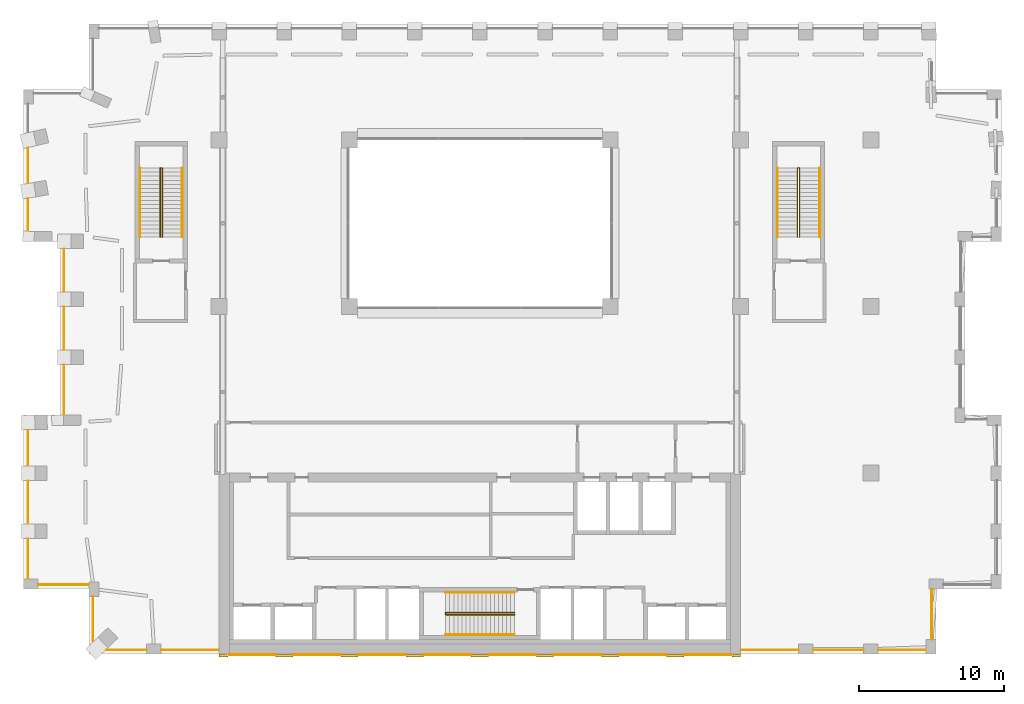
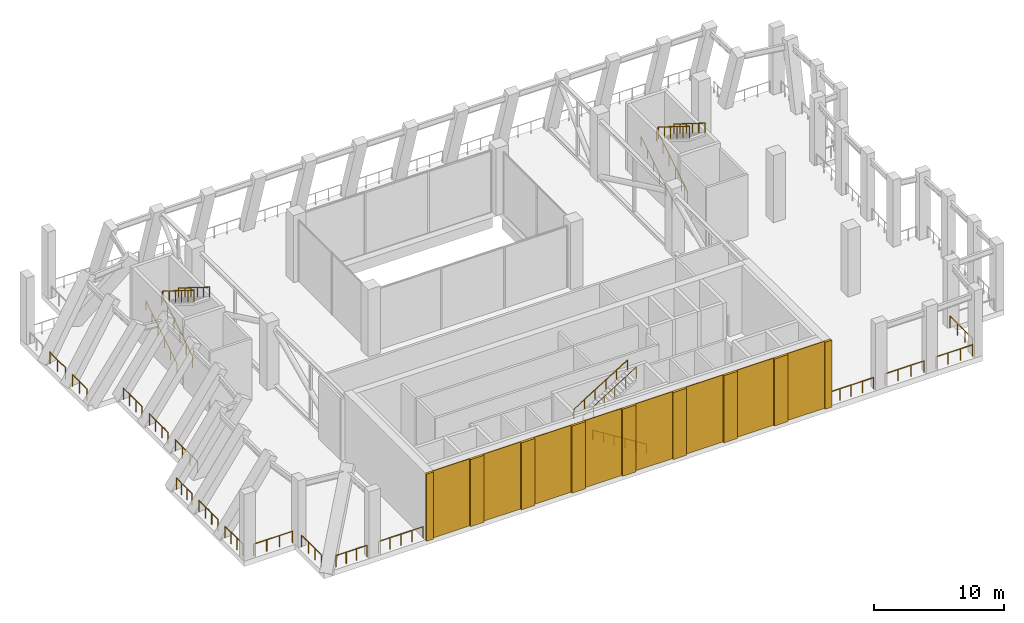
# One storey, part 13 of 14: 25 railings, 17 coverings.
"""IFC4 building model written with IfcOpenShell, lengths in metres."""

from ifc_helpers import new_model, si_unit, direction, frame, origin, origin_2d, place, context, subcontext, project, spatial, rectangle, circle, extrude, material, layer, layer_set, type_object, element, save


model = new_model("IFC4")

# Units and contexts
model_context = context("Model", 3, precision=1e-05, world=origin(), true_north=direction((0.0, 1.0)))
body_context = subcontext(model_context, "Body", "Model", "MODEL_VIEW")
ifc_project = project(units=[si_unit("LENGTHUNIT", "METRE"), si_unit("AREAUNIT", "SQUARE_METRE"), si_unit("VOLUMEUNIT", "CUBIC_METRE"), si_unit("PLANEANGLEUNIT", "RADIAN"), si_unit("MASSUNIT", "GRAM", prefix="KILO")], contexts=[model_context])

# Site, building, storey
site_placement = place(None, origin())
site = spatial("IfcSite", under=ifc_project, at=site_placement, CompositionType="ELEMENT")
building_placement = place(site_placement, origin())
building = spatial("IfcBuilding", under=site, at=building_placement, Name="Brigalow Station Residences", CompositionType="ELEMENT")
storey_placement = place(building_placement, frame((0.0, 0.0, 185.39990234375)))
storey = spatial("IfcBuildingStorey", under=building, at=storey_placement, Name="L54", CompositionType="ELEMENT", Elevation=185.39990234375)

# Railings
ifc_material_1 = material(Name="Stainless steel balustrade with laminated glass infill", Category="steel")
railing_type_1 = type_object("IfcRailingType", Name="BALCONY GUARD 1100", PredefinedType="GUARDRAIL", material=ifc_material_1)
railing_1_placement = place(storey_placement, frame((10.221923828125, 0.300048828125, 0.0)))
element("IfcRailing", 1, at=railing_1_placement, inside=storey, type_object=railing_type_1, Name="L54/edge-guard/W-L54-1-1", PredefinedType="GUARDRAIL", context=body_context, shape_type="SweptSolid", body=[
    extrude(circle(Radius=0.02392578125, at=origin_2d()), frame((0.0, 0.0, 1.076171875), z_axis=(1.0, 0.0, 0.0), x_axis=(0.0, 1.0, 0.0)), (0.0, 0.0, 1.0), 2.755126953125),
    extrude(circle(Radius=0.02099609375, at=origin_2d()), origin(), (0.0, 0.0, 1.0), 1.052001953125),
    extrude(circle(Radius=0.02099609375, at=origin_2d()), frame((0.91845703125, 0.0, 0.0)), (0.0, 0.0, 1.0), 1.052001953125),
    extrude(circle(Radius=0.02099609375, at=origin_2d()), frame((1.836669921875, 0.0, 0.0)), (0.0, 0.0, 1.0), 1.052001953125),
    extrude(circle(Radius=0.02099609375, at=origin_2d()), frame((2.755126953125, 0.0, 0.0)), (0.0, 0.0, 1.0), 1.052001953125),
])
for number, where, name in (
    (2, (14.02294921875, 0.300048828125, 0.0), "L54/edge-guard/W-L54-1-2"),
    (3, (54.02294921875, 0.300048828125, 0.0), "L54/edge-guard/W-L54-4-3"),
):
    element("IfcRailing", number, at=place(storey_placement, frame(where)), inside=storey, type_object=railing_type_1, Name=name, PredefinedType="GUARDRAIL", context=body_context, shape_type="SweptSolid", body=[
        extrude(circle(Radius=0.02392578125, at=origin_2d()), frame((0.0, 0.0, 1.076171875), z_axis=(1.0, 0.0, 0.0), x_axis=(0.0, 1.0, 0.0)), (0.0, 0.0, 1.0), 3.9541015625),
        extrude(circle(Radius=0.02099609375, at=origin_2d()), origin(), (0.0, 0.0, 1.0), 1.052001953125),
        extrude(circle(Radius=0.02099609375, at=origin_2d()), frame((0.988525390625, 0.0, 0.0)), (0.0, 0.0, 1.0), 1.052001953125),
        extrude(circle(Radius=0.02099609375, at=origin_2d()), frame((1.97705078125, 0.0, 0.0)), (0.0, 0.0, 1.0), 1.052001953125),
        extrude(circle(Radius=0.02099609375, at=origin_2d()), frame((2.965576171875, 0.0, 0.0)), (0.0, 0.0, 1.0), 1.052001953125),
        extrude(circle(Radius=0.02099609375, at=origin_2d()), frame((3.9541015625, 0.0, 0.0)), (0.0, 0.0, 1.0), 1.052001953125),
    ])
railing_2_placement = place(storey_placement, frame((59.02294921875, 0.300048828125, 0.0)))
element("IfcRailing", 4, at=railing_2_placement, inside=storey, type_object=railing_type_1, Name="L54/edge-guard/W-L54-4-4", PredefinedType="GUARDRAIL", context=body_context, shape_type="SweptSolid", body=[
    extrude(circle(Radius=0.02392578125, at=origin_2d()), frame((0.0, 0.0, 1.076171875), z_axis=(1.0, 0.0, 0.0), x_axis=(0.0, 1.0, 0.0)), (0.0, 0.0, 1.0), 3.4541015625),
    extrude(circle(Radius=0.02099609375, at=origin_2d()), origin(), (0.0, 0.0, 1.0), 1.052001953125),
    extrude(circle(Radius=0.02099609375, at=origin_2d()), frame((1.1513671875, 0.0, 0.0)), (0.0, 0.0, 1.0), 1.052001953125),
    extrude(circle(Radius=0.02099609375, at=origin_2d()), frame((2.302734375, 0.0, 0.0)), (0.0, 0.0, 1.0), 1.052001953125),
    extrude(circle(Radius=0.02099609375, at=origin_2d()), frame((3.4541015625, 0.0, 0.0)), (0.0, 0.0, 1.0), 1.052001953125),
])
railing_3_placement = place(storey_placement, frame((63.52294921875, 0.300048828125, 0.0)))
element("IfcRailing", 5, at=railing_3_placement, inside=storey, type_object=railing_type_1, Name="L54/edge-guard/W-L54-4-5", PredefinedType="GUARDRAIL", context=body_context, shape_type="SweptSolid", body=[
    extrude(circle(Radius=0.02392578125, at=origin_2d()), frame((0.0, 0.0, 1.076171875), z_axis=(1.0, 0.0, 0.0), x_axis=(0.0, 1.0, 0.0)), (0.0, 0.0, 1.0), 3.254150390625),
    extrude(circle(Radius=0.02099609375, at=origin_2d()), origin(), (0.0, 0.0, 1.0), 1.052001953125),
    extrude(circle(Radius=0.02099609375, at=origin_2d()), frame((1.084716796875, 0.0, 0.0)), (0.0, 0.0, 1.0), 1.052001953125),
    extrude(circle(Radius=0.02099609375, at=origin_2d()), frame((2.16943359375, 0.0, 0.0)), (0.0, 0.0, 1.0), 1.052001953125),
    extrude(circle(Radius=0.02099609375, at=origin_2d()), frame((3.254150390625, 0.0, 0.0)), (0.0, 0.0, 1.0), 1.052001953125),
])
railing_4_placement = place(storey_placement, frame((67.199951171875, 1.02294921875, 0.0)))
element("IfcRailing", 6, at=railing_4_placement, inside=storey, type_object=railing_type_1, Name="L54/edge-guard/W-L54-7-6", PredefinedType="GUARDRAIL", context=body_context, shape_type="SweptSolid", body=[
    extrude(circle(Radius=0.02392578125, at=origin_2d()), frame((0.0, 0.0, 1.076171875), z_axis=(0.0, 1.0, 0.0), x_axis=(-1.0, 0.0, 0.0)), (0.0, 0.0, 1.0), 3.4541015625),
    extrude(circle(Radius=0.02099609375, at=origin_2d()), origin(), (0.0, 0.0, 1.0), 1.052001953125),
    extrude(circle(Radius=0.02099609375, at=origin_2d()), frame((0.0, 1.1513671875, 0.0)), (0.0, 0.0, 1.0), 1.052001953125),
    extrude(circle(Radius=0.02099609375, at=origin_2d()), frame((0.0, 2.302734375, 0.0)), (0.0, 0.0, 1.0), 1.052001953125),
    extrude(circle(Radius=0.02099609375, at=origin_2d()), frame((0.0, 3.4541015625, 0.0)), (0.0, 0.0, 1.0), 1.052001953125),
])
railing_5_placement = place(storey_placement, frame((4.800048828125, 34.93115234375, 0.0)))
element("IfcRailing", 7, at=railing_5_placement, inside=storey, type_object=railing_type_1, Name="L54/edge-guard/W-L54-37-37", PredefinedType="GUARDRAIL", context=body_context, shape_type="SweptSolid", body=[
    extrude(circle(Radius=0.02392578125, at=origin_2d()), frame((0.0, 0.0, 1.076171875), z_axis=(0.0, -1.0, 0.0), x_axis=(1.0, 0.0, 0.0)), (0.0, 0.0, 1.0), 2.38916015625),
    extrude(circle(Radius=0.02099609375, at=origin_2d()), origin(), (0.0, 0.0, 1.0), 1.052001953125),
    extrude(circle(Radius=0.02099609375, at=origin_2d()), frame((0.0, -1.194580078125, 0.0)), (0.0, 0.0, 1.0), 1.052001953125),
    extrude(circle(Radius=0.02099609375, at=origin_2d()), frame((0.0, -2.38916015625, 0.0)), (0.0, 0.0, 1.0), 1.052001953125),
])
railing_6_placement = place(storey_placement, frame((4.800048828125, 31.44140625, 0.0)))
element("IfcRailing", 8, at=railing_6_placement, inside=storey, type_object=railing_type_1, Name="L54/edge-guard/W-L54-37-38", PredefinedType="GUARDRAIL", context=body_context, shape_type="SweptSolid", body=[
    extrude(circle(Radius=0.02392578125, at=origin_2d()), frame((0.0, 0.0, 1.076171875), z_axis=(0.0, -1.0, 0.0), x_axis=(1.0, 0.0, 0.0)), (0.0, 0.0, 1.0), 2.197265625),
    extrude(circle(Radius=0.02099609375, at=origin_2d()), origin(), (0.0, 0.0, 1.0), 1.052001953125),
    extrude(circle(Radius=0.02099609375, at=origin_2d()), frame((0.0, -1.0986328125, 0.0)), (0.0, 0.0, 1.0), 1.052001953125),
    extrude(circle(Radius=0.02099609375, at=origin_2d()), frame((0.0, -2.197265625, 0.0)), (0.0, 0.0, 1.0), 1.052001953125),
])
for number, where, name in (
    (9, (7.300048828125, 27.95703125, 0.0), "L54/edge-guard/W-L54-41-39"),
    (10, (7.300048828125, 23.95703125, 0.0), "L54/edge-guard/W-L54-41-40"),
):
    element("IfcRailing", number, at=place(storey_placement, frame(where)), inside=storey, type_object=railing_type_1, Name=name, PredefinedType="GUARDRAIL", context=body_context, shape_type="SweptSolid", body=[
        extrude(circle(Radius=0.02392578125, at=origin_2d()), frame((0.0, 0.0, 1.076171875), z_axis=(0.0, -1.0, 0.0), x_axis=(1.0, 0.0, 0.0)), (0.0, 0.0, 1.0), 2.9140625),
        extrude(circle(Radius=0.02099609375, at=origin_2d()), origin(), (0.0, 0.0, 1.0), 1.052001953125),
        extrude(circle(Radius=0.02099609375, at=origin_2d()), frame((0.0, -0.971435546875, 0.0)), (0.0, 0.0, 1.0), 1.052001953125),
        extrude(circle(Radius=0.02099609375, at=origin_2d()), frame((0.0, -1.942626953125, 0.0)), (0.0, 0.0, 1.0), 1.052001953125),
        extrude(circle(Radius=0.02099609375, at=origin_2d()), frame((0.0, -2.9140625, 0.0)), (0.0, 0.0, 1.0), 1.052001953125),
    ])
railing_7_placement = place(storey_placement, frame((7.300048828125, 19.95703125, 0.0)))
element("IfcRailing", 11, at=railing_7_placement, inside=storey, type_object=railing_type_1, Name="L54/edge-guard/W-L54-41-41", PredefinedType="GUARDRAIL", context=body_context, shape_type="SweptSolid", body=[
    extrude(circle(Radius=0.02392578125, at=origin_2d()), frame((0.0, 0.0, 1.076171875), z_axis=(0.0, -1.0, 0.0), x_axis=(1.0, 0.0, 0.0)), (0.0, 0.0, 1.0), 3.38671875),
    extrude(circle(Radius=0.02099609375, at=origin_2d()), origin(), (0.0, 0.0, 1.0), 1.052001953125),
    extrude(circle(Radius=0.02099609375, at=origin_2d()), frame((0.0, -1.12890625, 0.0)), (0.0, 0.0, 1.0), 1.052001953125),
    extrude(circle(Radius=0.02099609375, at=origin_2d()), frame((0.0, -2.2578125, 0.0)), (0.0, 0.0, 1.0), 1.052001953125),
    extrude(circle(Radius=0.02099609375, at=origin_2d()), frame((0.0, -3.38671875, 0.0)), (0.0, 0.0, 1.0), 1.052001953125),
])
railing_8_placement = place(storey_placement, frame((4.800048828125, 15.45654296875, 0.0)))
element("IfcRailing", 12, at=railing_8_placement, inside=storey, type_object=railing_type_1, Name="L54/edge-guard/W-L54-45-42", PredefinedType="GUARDRAIL", context=body_context, shape_type="SweptSolid", body=[
    extrude(circle(Radius=0.02392578125, at=origin_2d()), frame((0.0, 0.0, 1.076171875), z_axis=(0.0, -1.0, 0.0), x_axis=(1.0, 0.0, 0.0)), (0.0, 0.0, 1.0), 2.41357421875),
    extrude(circle(Radius=0.02099609375, at=origin_2d()), origin(), (0.0, 0.0, 1.0), 1.052001953125),
    extrude(circle(Radius=0.02099609375, at=origin_2d()), frame((0.0, -0.804443359375, 0.0)), (0.0, 0.0, 1.0), 1.052001953125),
    extrude(circle(Radius=0.02099609375, at=origin_2d()), frame((0.0, -1.609130859375, 0.0)), (0.0, 0.0, 1.0), 1.052001953125),
    extrude(circle(Radius=0.02099609375, at=origin_2d()), frame((0.0, -2.41357421875, 0.0)), (0.0, 0.0, 1.0), 1.052001953125),
])
railing_9_placement = place(storey_placement, frame((4.800048828125, 11.95703125, 0.0)))
element("IfcRailing", 13, at=railing_9_placement, inside=storey, type_object=railing_type_1, Name="L54/edge-guard/W-L54-45-43", PredefinedType="GUARDRAIL", context=body_context, shape_type="SweptSolid", body=[
    extrude(circle(Radius=0.02392578125, at=origin_2d()), frame((0.0, 0.0, 1.076171875), z_axis=(0.0, -1.0, 0.0), x_axis=(1.0, 0.0, 0.0)), (0.0, 0.0, 1.0), 2.9140625),
    extrude(circle(Radius=0.02099609375, at=origin_2d()), origin(), (0.0, 0.0, 1.0), 1.052001953125),
    extrude(circle(Radius=0.02099609375, at=origin_2d()), frame((0.0, -0.971435546875, 0.0)), (0.0, 0.0, 1.0), 1.052001953125),
    extrude(circle(Radius=0.02099609375, at=origin_2d()), frame((0.0, -1.942626953125, 0.0)), (0.0, 0.0, 1.0), 1.052001953125),
    extrude(circle(Radius=0.02099609375, at=origin_2d()), frame((0.0, -2.9140625, 0.0)), (0.0, 0.0, 1.0), 1.052001953125),
])
railing_10_placement = place(storey_placement, frame((4.800048828125, 7.95703125, 0.0)))
element("IfcRailing", 14, at=railing_10_placement, inside=storey, type_object=railing_type_1, Name="L54/edge-guard/W-L54-45-44", PredefinedType="GUARDRAIL", context=body_context, shape_type="SweptSolid", body=[
    extrude(circle(Radius=0.02392578125, at=origin_2d()), frame((0.0, 0.0, 1.076171875), z_axis=(0.0, -1.0, 0.0), x_axis=(1.0, 0.0, 0.0)), (0.0, 0.0, 1.0), 2.734130859375),
    extrude(circle(Radius=0.02099609375, at=origin_2d()), origin(), (0.0, 0.0, 1.0), 1.052001953125),
    extrude(circle(Radius=0.02099609375, at=origin_2d()), frame((0.0, -0.911376953125, 0.0)), (0.0, 0.0, 1.0), 1.052001953125),
    extrude(circle(Radius=0.02099609375, at=origin_2d()), frame((0.0, -1.82275390625, 0.0)), (0.0, 0.0, 1.0), 1.052001953125),
    extrude(circle(Radius=0.02099609375, at=origin_2d()), frame((0.0, -2.734130859375, 0.0)), (0.0, 0.0, 1.0), 1.052001953125),
])
railing_11_placement = place(storey_placement, frame((5.52294921875, 4.800048828125, 0.0)))
element("IfcRailing", 15, at=railing_11_placement, inside=storey, type_object=railing_type_1, Name="L54/edge-guard/W-L54-48-45", PredefinedType="GUARDRAIL", context=body_context, shape_type="SweptSolid", body=[
    extrude(circle(Radius=0.02392578125, at=origin_2d()), frame((0.0, 0.0, 1.076171875), z_axis=(1.0, 0.0, 0.0), x_axis=(0.0, 1.0, 0.0)), (0.0, 0.0, 1.0), 3.4541015625),
    extrude(circle(Radius=0.02099609375, at=origin_2d()), origin(), (0.0, 0.0, 1.0), 1.052001953125),
    extrude(circle(Radius=0.02099609375, at=origin_2d()), frame((1.1513671875, 0.0, 0.0)), (0.0, 0.0, 1.0), 1.052001953125),
    extrude(circle(Radius=0.02099609375, at=origin_2d()), frame((2.302734375, 0.0, 0.0)), (0.0, 0.0, 1.0), 1.052001953125),
    extrude(circle(Radius=0.02099609375, at=origin_2d()), frame((3.4541015625, 0.0, 0.0)), (0.0, 0.0, 1.0), 1.052001953125),
])
railing_12_placement = place(storey_placement, frame((9.300048828125, 3.97705078125, 0.0)))
element("IfcRailing", 16, at=railing_12_placement, inside=storey, type_object=railing_type_1, Name="L54/edge-guard/W-L54-49-46", PredefinedType="GUARDRAIL", context=body_context, shape_type="SweptSolid", body=[
    extrude(circle(Radius=0.02392578125, at=origin_2d()), frame((0.0, 0.0, 1.076171875), z_axis=(0.0, -1.0, 0.0), x_axis=(1.0, 0.0, 0.0)), (0.0, 0.0, 1.0), 3.0751953125),
    extrude(circle(Radius=0.02099609375, at=origin_2d()), origin(), (0.0, 0.0, 1.0), 1.052001953125),
    extrude(circle(Radius=0.02099609375, at=origin_2d()), frame((0.0, -1.025146484375, 0.0)), (0.0, 0.0, 1.0), 1.052001953125),
    extrude(circle(Radius=0.02099609375, at=origin_2d()), frame((0.0, -2.050048828125, 0.0)), (0.0, 0.0, 1.0), 1.052001953125),
    extrude(circle(Radius=0.02099609375, at=origin_2d()), frame((0.0, -3.0751953125, 0.0)), (0.0, 0.0, 1.0), 1.052001953125),
])

# Coverings
ifc_material_2 = material(Name="Clay brick masonry", Category="masonry")
ifc_layer_1 = layer(ifc_material_2, 0.06005859375)
ifc_layer_set_1 = layer_set([ifc_layer_1], Name="BRICK PANEL FACING 60")
covering_type_1 = type_object("IfcCoveringType", Name="BRICK PANEL FACING 60", PredefinedType="CLADDING", material=ifc_layer_set_1)
for number, where, z_axis, x_axis, name in (
    (17, (20.25, -0.030029296875, 0.0), (0.0, 0.0, 1.0), (1.0, 0.0, 0.0), "L54/rear-facing/panel-1"),
    (18, (24.75, -0.030029296875, 0.0), (0.0, 0.0, 1.0), (1.0, 0.0, 0.0), "L54/rear-facing/panel-2"),
    (19, (29.25, -0.030029296875, 0.0), (0.0, 0.0, 1.0), (1.0, 0.0, 0.0), "L54/rear-facing/panel-3"),
    (20, (33.75, -0.030029296875, 0.0), (0.0, 0.0, 1.0), (1.0, 0.0, 0.0), "L54/rear-facing/panel-4"),
    (21, (38.25, -0.030029296875, 0.0), (0.0, 0.0, 1.0), (1.0, 0.0, 0.0), "L54/rear-facing/panel-5"),
    (22, (42.75, -0.030029296875, 0.0), (0.0, 0.0, 1.0), (1.0, 0.0, 0.0), "L54/rear-facing/panel-6"),
    (23, (47.25, -0.030029296875, 0.0), (0.0, 0.0, 1.0), (1.0, 0.0, 0.0), "L54/rear-facing/panel-7"),
    (24, (51.75, -0.030029296875, 0.0), (0.0, 0.0, 1.0), (1.0, 0.0, 0.0), "L54/rear-facing/panel-8"),
):
    element("IfcCovering", number, at=place(storey_placement, frame(where, z_axis=z_axis, x_axis=x_axis)), inside=storey, type_object=covering_type_1, Name=name, PredefinedType="CLADDING", context=body_context, shape_type="SweptSolid", body=[
        extrude(rectangle(XDim=3.300048828125, YDim=0.06005859375, at=origin_2d()), origin(), (0.0, 0.0, 1.0), 6.300048828125),
    ])
ifc_material_3 = material(Name="Clay brick masonry", Category="masonry")
ifc_layer_2 = layer(ifc_material_3, 0.199951171875)
ifc_layer_set_2 = layer_set([ifc_layer_2], Name="BRICK PIER FACING 200")
covering_type_2 = type_object("IfcCoveringType", Name="BRICK PIER FACING 200", PredefinedType="CLADDING", material=ifc_layer_set_2)
covering_1_placement = place(storey_placement, frame((18.300048828125, -0.10009765625, 0.0), z_axis=(0.0, 0.0, 1.0), x_axis=(1.0, 0.0, 0.0)))
element("IfcCovering", 25, at=covering_1_placement, inside=storey, type_object=covering_type_2, Name="L54/rear-facing/pier-1", PredefinedType="CLADDING", context=body_context, shape_type="SweptSolid", body=[
    extrude(rectangle(XDim=0.60009765625, YDim=0.199951171875, at=origin_2d()), origin(), (0.0, 0.0, 1.0), 6.300048828125),
])
for number, where, z_axis, x_axis, name in (
    (26, (22.5, -0.10009765625, 0.0), (0.0, 0.0, 1.0), (1.0, 0.0, 0.0), "L54/rear-facing/pier-2"),
    (27, (27.0, -0.10009765625, 0.0), (0.0, 0.0, 1.0), (1.0, 0.0, 0.0), "L54/rear-facing/pier-3"),
    (28, (31.5, -0.10009765625, 0.0), (0.0, 0.0, 1.0), (1.0, 0.0, 0.0), "L54/rear-facing/pier-4"),
    (29, (36.0, -0.10009765625, 0.0), (0.0, 0.0, 1.0), (1.0, 0.0, 0.0), "L54/rear-facing/pier-5"),
    (30, (40.5, -0.10009765625, 0.0), (0.0, 0.0, 1.0), (1.0, 0.0, 0.0), "L54/rear-facing/pier-6"),
    (31, (45.0, -0.10009765625, 0.0), (0.0, 0.0, 1.0), (1.0, 0.0, 0.0), "L54/rear-facing/pier-7"),
    (32, (49.5, -0.10009765625, 0.0), (0.0, 0.0, 1.0), (1.0, 0.0, 0.0), "L54/rear-facing/pier-8"),
):
    element("IfcCovering", number, at=place(storey_placement, frame(where, z_axis=z_axis, x_axis=x_axis)), inside=storey, type_object=covering_type_2, Name=name, PredefinedType="CLADDING", context=body_context, shape_type="SweptSolid", body=[
        extrude(rectangle(XDim=1.199951171875, YDim=0.199951171875, at=origin_2d()), origin(), (0.0, 0.0, 1.0), 6.300048828125),
    ])
covering_2_placement = place(storey_placement, frame((53.699951171875, -0.10009765625, 0.0), z_axis=(0.0, 0.0, 1.0), x_axis=(1.0, 0.0, 0.0)))
element("IfcCovering", 33, at=covering_2_placement, inside=storey, type_object=covering_type_2, Name="L54/rear-facing/pier-9", PredefinedType="CLADDING", context=body_context, shape_type="SweptSolid", body=[
    extrude(rectangle(XDim=0.60009765625, YDim=0.199951171875, at=origin_2d()), origin(), (0.0, 0.0, 1.0), 6.300048828125),
])

# Railings
ifc_material_4 = material(Name="Stainless steel balustrade", Category="steel")
railing_type_2 = type_object("IfcRailingType", Name="STAIR GUARD 1100", PredefinedType="GUARDRAIL", material=ifc_material_4)
railing_13_placement = place(storey_placement, frame((38.39990234375, 2.72998046875, 0.175048828125)))
element("IfcRailing", 34, at=railing_13_placement, inside=storey, type_object=railing_type_2, Name="GUARD GR-2", PredefinedType="GUARDRAIL", context=body_context, shape_type="SweptSolid", body=[
    extrude(circle(Radius=0.02392578125, at=origin_2d()), frame((0.0, 0.0, 1.076171875), z_axis=(-0.847990973574, 0.0, 0.530010668512), x_axis=(0.0, -1.0, 0.0)), (0.0, 0.0, 1.0), 5.61328125),
    extrude(circle(Radius=0.02392578125, at=origin_2d()), frame((-4.760009765625, 0.0, 4.05126953125), z_axis=(0.0, 0.624960567888, 0.780656319122), x_axis=(-1.0, 0.0, 0.0)), (0.0, 0.0, 1.0), 0.22412109375),
    extrude(circle(Radius=0.02392578125, at=origin_2d()), frame((-4.760009765625, 0.14013671875, 4.22607421875), z_axis=(0.848010521311, 0.0, 0.529979391813), x_axis=(0.0, 1.0, 0.0)), (0.0, 0.0, 1.0), 5.613037109375),
    extrude(circle(Radius=0.02099609375, at=origin_2d()), origin(), (0.0, 0.0, 1.0), 1.052001953125),
    extrude(circle(Radius=0.02099609375, at=origin_2d()), frame((-0.951904296875, 0.0, 0.594970703125)), (0.0, 0.0, 1.0), 1.052001953125),
    extrude(circle(Radius=0.02099609375, at=origin_2d()), frame((-1.904052734375, 0.0, 1.18994140625)), (0.0, 0.0, 1.0), 1.052001953125),
    extrude(circle(Radius=0.02099609375, at=origin_2d()), frame((-2.85595703125, 0.0, 1.78515625)), (0.0, 0.0, 1.0), 1.052001953125),
    extrude(circle(Radius=0.02099609375, at=origin_2d()), frame((-3.80810546875, 0.0, 2.380126953125)), (0.0, 0.0, 1.0), 1.052001953125),
    extrude(circle(Radius=0.02099609375, at=origin_2d()), frame((-4.760009765625, 0.0, 2.97509765625)), (0.0, 0.0, 1.0), 1.052001953125),
    extrude(circle(Radius=0.02099609375, at=origin_2d()), frame((-4.760009765625, 0.14013671875, 3.150146484375)), (0.0, 0.0, 1.0), 1.052001953125),
    extrude(circle(Radius=0.02099609375, at=origin_2d()), frame((-3.80810546875, 0.14013671875, 3.7451171875)), (0.0, 0.0, 1.0), 1.052001953125),
    extrude(circle(Radius=0.02099609375, at=origin_2d()), frame((-2.85595703125, 0.14013671875, 4.340087890625)), (0.0, 0.0, 1.0), 1.052001953125),
    extrude(circle(Radius=0.02099609375, at=origin_2d()), frame((-1.904052734375, 0.14013671875, 4.93505859375)), (0.0, 0.0, 1.0), 1.052001953125),
    extrude(circle(Radius=0.02099609375, at=origin_2d()), frame((-0.951904296875, 0.14013671875, 5.530029296875)), (0.0, 0.0, 1.0), 1.052001953125),
    extrude(circle(Radius=0.02099609375, at=origin_2d()), frame((0.0, 0.14013671875, 6.125)), (0.0, 0.0, 1.0), 1.052001953125),
])
railing_14_placement = place(storey_placement, frame((13.929931640625, 28.800048828125, 0.175048828125)))
element("IfcRailing", 35, at=railing_14_placement, inside=storey, type_object=railing_type_2, Name="GUARD GR-1", PredefinedType="GUARDRAIL", context=body_context, shape_type="SweptSolid", body=[
    extrude(circle(Radius=0.02392578125, at=origin_2d()), frame((0.0, 0.0, 1.076171875), z_axis=(0.0, 0.847990973574, 0.530010668512), x_axis=(-1.0, 0.0, 0.0)), (0.0, 0.0, 1.0), 5.61328125),
    extrude(circle(Radius=0.02392578125, at=origin_2d()), frame((0.0, 4.760009765625, 4.05126953125), z_axis=(0.624960567888, 0.0, 0.780656319122), x_axis=(0.0, 1.0, 0.0)), (0.0, 0.0, 1.0), 0.22412109375),
    extrude(circle(Radius=0.02392578125, at=origin_2d()), frame((0.14013671875, 4.760009765625, 4.22607421875), z_axis=(0.0, -0.848010521311, 0.529979391813), x_axis=(1.0, 0.0, 0.0)), (0.0, 0.0, 1.0), 5.613037109375),
    extrude(circle(Radius=0.02099609375, at=origin_2d()), origin(), (0.0, 0.0, 1.0), 1.052001953125),
    extrude(circle(Radius=0.02099609375, at=origin_2d()), frame((0.0, 0.951904296875, 0.594970703125)), (0.0, 0.0, 1.0), 1.052001953125),
    extrude(circle(Radius=0.02099609375, at=origin_2d()), frame((0.0, 1.904052734375, 1.18994140625)), (0.0, 0.0, 1.0), 1.052001953125),
    extrude(circle(Radius=0.02099609375, at=origin_2d()), frame((0.0, 2.85595703125, 1.78515625)), (0.0, 0.0, 1.0), 1.052001953125),
    extrude(circle(Radius=0.02099609375, at=origin_2d()), frame((0.0, 3.80810546875, 2.380126953125)), (0.0, 0.0, 1.0), 1.052001953125),
    extrude(circle(Radius=0.02099609375, at=origin_2d()), frame((0.0, 4.760009765625, 2.97509765625)), (0.0, 0.0, 1.0), 1.052001953125),
    extrude(circle(Radius=0.02099609375, at=origin_2d()), frame((0.14013671875, 4.760009765625, 3.150146484375)), (0.0, 0.0, 1.0), 1.052001953125),
    extrude(circle(Radius=0.02099609375, at=origin_2d()), frame((0.14013671875, 3.80810546875, 3.7451171875)), (0.0, 0.0, 1.0), 1.052001953125),
    extrude(circle(Radius=0.02099609375, at=origin_2d()), frame((0.14013671875, 2.85595703125, 4.340087890625)), (0.0, 0.0, 1.0), 1.052001953125),
    extrude(circle(Radius=0.02099609375, at=origin_2d()), frame((0.14013671875, 1.904052734375, 4.93505859375)), (0.0, 0.0, 1.0), 1.052001953125),
    extrude(circle(Radius=0.02099609375, at=origin_2d()), frame((0.14013671875, 0.951904296875, 5.530029296875)), (0.0, 0.0, 1.0), 1.052001953125),
    extrude(circle(Radius=0.02099609375, at=origin_2d()), frame((0.14013671875, 0.0, 6.125)), (0.0, 0.0, 1.0), 1.052001953125),
])
railing_15_placement = place(storey_placement, frame((57.929931640625, 28.800048828125, 0.175048828125)))
element("IfcRailing", 36, at=railing_15_placement, inside=storey, type_object=railing_type_2, Name="GUARD GR-3", PredefinedType="GUARDRAIL", context=body_context, shape_type="SweptSolid", body=[
    extrude(circle(Radius=0.02392578125, at=origin_2d()), frame((0.0, 0.0, 1.076171875), z_axis=(0.0, 0.847990973574, 0.530010668512), x_axis=(-1.0, 0.0, 0.0)), (0.0, 0.0, 1.0), 5.61328125),
    extrude(circle(Radius=0.02392578125, at=origin_2d()), frame((0.0, 4.760009765625, 4.05126953125), z_axis=(0.624960567888, 0.0, 0.780656319122), x_axis=(0.0, 1.0, 0.0)), (0.0, 0.0, 1.0), 0.22412109375),
    extrude(circle(Radius=0.02392578125, at=origin_2d()), frame((0.14013671875, 4.760009765625, 4.22607421875), z_axis=(0.0, -0.848010521311, 0.529979391813), x_axis=(1.0, 0.0, 0.0)), (0.0, 0.0, 1.0), 5.613037109375),
    extrude(circle(Radius=0.02099609375, at=origin_2d()), origin(), (0.0, 0.0, 1.0), 1.052001953125),
    extrude(circle(Radius=0.02099609375, at=origin_2d()), frame((0.0, 0.951904296875, 0.594970703125)), (0.0, 0.0, 1.0), 1.052001953125),
    extrude(circle(Radius=0.02099609375, at=origin_2d()), frame((0.0, 1.904052734375, 1.18994140625)), (0.0, 0.0, 1.0), 1.052001953125),
    extrude(circle(Radius=0.02099609375, at=origin_2d()), frame((0.0, 2.85595703125, 1.78515625)), (0.0, 0.0, 1.0), 1.052001953125),
    extrude(circle(Radius=0.02099609375, at=origin_2d()), frame((0.0, 3.80810546875, 2.380126953125)), (0.0, 0.0, 1.0), 1.052001953125),
    extrude(circle(Radius=0.02099609375, at=origin_2d()), frame((0.0, 4.760009765625, 2.97509765625)), (0.0, 0.0, 1.0), 1.052001953125),
    extrude(circle(Radius=0.02099609375, at=origin_2d()), frame((0.14013671875, 4.760009765625, 3.150146484375)), (0.0, 0.0, 1.0), 1.052001953125),
    extrude(circle(Radius=0.02099609375, at=origin_2d()), frame((0.14013671875, 3.80810546875, 3.7451171875)), (0.0, 0.0, 1.0), 1.052001953125),
    extrude(circle(Radius=0.02099609375, at=origin_2d()), frame((0.14013671875, 2.85595703125, 4.340087890625)), (0.0, 0.0, 1.0), 1.052001953125),
    extrude(circle(Radius=0.02099609375, at=origin_2d()), frame((0.14013671875, 1.904052734375, 4.93505859375)), (0.0, 0.0, 1.0), 1.052001953125),
    extrude(circle(Radius=0.02099609375, at=origin_2d()), frame((0.14013671875, 0.951904296875, 5.530029296875)), (0.0, 0.0, 1.0), 1.052001953125),
    extrude(circle(Radius=0.02099609375, at=origin_2d()), frame((0.14013671875, 0.0, 6.125)), (0.0, 0.0, 1.0), 1.052001953125),
])
ifc_material_5 = material(Name="Stainless steel handrail", Category="steel")
railing_type_3 = type_object("IfcRailingType", Name="STAIR HANDRAIL 900", PredefinedType="HANDRAIL", material=ifc_material_5)
railing_16_placement = place(storey_placement, frame((38.39990234375, 1.340087890625, 0.175048828125)))
element("IfcRailing", 37, at=railing_16_placement, inside=storey, type_object=railing_type_3, Name="HANDRAIL HR-21", PredefinedType="HANDRAIL", context=body_context, shape_type="SweptSolid", body=[
    extrude(circle(Radius=0.02392578125, at=origin_2d()), frame((0.0, 0.0, 0.8759765625), z_axis=(-0.847990973574, 0.0, 0.530010668512), x_axis=(0.0, -1.0, 0.0)), (0.0, 0.0, 1.0), 5.61328125),
    extrude(circle(Radius=0.02099609375, at=origin_2d()), origin(), (0.0, 0.0, 1.0), 0.851806640625),
    extrude(circle(Radius=0.02099609375, at=origin_2d()), frame((-0.951904296875, 0.0, 0.594970703125)), (0.0, 0.0, 1.0), 0.851806640625),
    extrude(circle(Radius=0.02099609375, at=origin_2d()), frame((-1.904052734375, 0.0, 1.18994140625)), (0.0, 0.0, 1.0), 0.851806640625),
    extrude(circle(Radius=0.02099609375, at=origin_2d()), frame((-2.85595703125, 0.0, 1.78515625)), (0.0, 0.0, 1.0), 0.851806640625),
    extrude(circle(Radius=0.02099609375, at=origin_2d()), frame((-3.80810546875, 0.0, 2.380126953125)), (0.0, 0.0, 1.0), 0.851806640625),
    extrude(circle(Radius=0.02099609375, at=origin_2d()), frame((-4.760009765625, 0.0, 2.97509765625)), (0.0, 0.0, 1.0), 0.851806640625),
])
railing_17_placement = place(storey_placement, frame((33.639892578125, 4.260009765625, 3.3251953125)))
element("IfcRailing", 38, at=railing_17_placement, inside=storey, type_object=railing_type_3, Name="HANDRAIL HR-22", PredefinedType="HANDRAIL", context=body_context, shape_type="SweptSolid", body=[
    extrude(circle(Radius=0.02392578125, at=origin_2d()), frame((0.0, 0.0, 0.8759765625), z_axis=(0.848010521311, 0.0, 0.529979391813), x_axis=(0.0, 1.0, 0.0)), (0.0, 0.0, 1.0), 5.613037109375),
    extrude(circle(Radius=0.02099609375, at=origin_2d()), origin(), (0.0, 0.0, 1.0), 0.851806640625),
    extrude(circle(Radius=0.02099609375, at=origin_2d()), frame((0.951904296875, 0.0, 0.594970703125)), (0.0, 0.0, 1.0), 0.851806640625),
    extrude(circle(Radius=0.02099609375, at=origin_2d()), frame((1.904052734375, 0.0, 1.18994140625)), (0.0, 0.0, 1.0), 0.851806640625),
    extrude(circle(Radius=0.02099609375, at=origin_2d()), frame((2.85595703125, 0.0, 1.784912109375)), (0.0, 0.0, 1.0), 0.851806640625),
    extrude(circle(Radius=0.02099609375, at=origin_2d()), frame((3.80810546875, 0.0, 2.3798828125)), (0.0, 0.0, 1.0), 0.851806640625),
    extrude(circle(Radius=0.02099609375, at=origin_2d()), frame((4.760009765625, 0.0, 2.974853515625)), (0.0, 0.0, 1.0), 0.851806640625),
])
railing_18_placement = place(storey_placement, frame((12.5400390625, 28.800048828125, 0.175048828125)))
element("IfcRailing", 39, at=railing_18_placement, inside=storey, type_object=railing_type_3, Name="HANDRAIL HR-11", PredefinedType="HANDRAIL", context=body_context, shape_type="SweptSolid", body=[
    extrude(circle(Radius=0.02392578125, at=origin_2d()), frame((0.0, 0.0, 0.8759765625), z_axis=(0.0, 0.847990973574, 0.530010668512), x_axis=(-1.0, 0.0, 0.0)), (0.0, 0.0, 1.0), 5.61328125),
    extrude(circle(Radius=0.02099609375, at=origin_2d()), origin(), (0.0, 0.0, 1.0), 0.851806640625),
    extrude(circle(Radius=0.02099609375, at=origin_2d()), frame((0.0, 0.951904296875, 0.594970703125)), (0.0, 0.0, 1.0), 0.851806640625),
    extrude(circle(Radius=0.02099609375, at=origin_2d()), frame((0.0, 1.904052734375, 1.18994140625)), (0.0, 0.0, 1.0), 0.851806640625),
    extrude(circle(Radius=0.02099609375, at=origin_2d()), frame((0.0, 2.85595703125, 1.78515625)), (0.0, 0.0, 1.0), 0.851806640625),
    extrude(circle(Radius=0.02099609375, at=origin_2d()), frame((0.0, 3.80810546875, 2.380126953125)), (0.0, 0.0, 1.0), 0.851806640625),
    extrude(circle(Radius=0.02099609375, at=origin_2d()), frame((0.0, 4.760009765625, 2.97509765625)), (0.0, 0.0, 1.0), 0.851806640625),
])
railing_19_placement = place(storey_placement, frame((15.4599609375, 33.56005859375, 3.3251953125)))
element("IfcRailing", 40, at=railing_19_placement, inside=storey, type_object=railing_type_3, Name="HANDRAIL HR-12", PredefinedType="HANDRAIL", context=body_context, shape_type="SweptSolid", body=[
    extrude(circle(Radius=0.02392578125, at=origin_2d()), frame((0.0, 0.0, 0.8759765625), z_axis=(0.0, -0.848010521311, 0.529979391813), x_axis=(1.0, 0.0, 0.0)), (0.0, 0.0, 1.0), 5.613037109375),
    extrude(circle(Radius=0.02099609375, at=origin_2d()), origin(), (0.0, 0.0, 1.0), 0.851806640625),
    extrude(circle(Radius=0.02099609375, at=origin_2d()), frame((0.0, -0.951904296875, 0.594970703125)), (0.0, 0.0, 1.0), 0.851806640625),
    extrude(circle(Radius=0.02099609375, at=origin_2d()), frame((0.0, -1.904052734375, 1.18994140625)), (0.0, 0.0, 1.0), 0.851806640625),
    extrude(circle(Radius=0.02099609375, at=origin_2d()), frame((0.0, -2.85595703125, 1.784912109375)), (0.0, 0.0, 1.0), 0.851806640625),
    extrude(circle(Radius=0.02099609375, at=origin_2d()), frame((0.0, -3.80810546875, 2.3798828125)), (0.0, 0.0, 1.0), 0.851806640625),
    extrude(circle(Radius=0.02099609375, at=origin_2d()), frame((0.0, -4.760009765625, 2.974853515625)), (0.0, 0.0, 1.0), 0.851806640625),
])
railing_20_placement = place(storey_placement, frame((56.5400390625, 28.800048828125, 0.175048828125)))
element("IfcRailing", 41, at=railing_20_placement, inside=storey, type_object=railing_type_3, Name="HANDRAIL HR-31", PredefinedType="HANDRAIL", context=body_context, shape_type="SweptSolid", body=[
    extrude(circle(Radius=0.02392578125, at=origin_2d()), frame((0.0, 0.0, 0.8759765625), z_axis=(0.0, 0.847990973574, 0.530010668512), x_axis=(-1.0, 0.0, 0.0)), (0.0, 0.0, 1.0), 5.61328125),
    extrude(circle(Radius=0.02099609375, at=origin_2d()), origin(), (0.0, 0.0, 1.0), 0.851806640625),
    extrude(circle(Radius=0.02099609375, at=origin_2d()), frame((0.0, 0.951904296875, 0.594970703125)), (0.0, 0.0, 1.0), 0.851806640625),
    extrude(circle(Radius=0.02099609375, at=origin_2d()), frame((0.0, 1.904052734375, 1.18994140625)), (0.0, 0.0, 1.0), 0.851806640625),
    extrude(circle(Radius=0.02099609375, at=origin_2d()), frame((0.0, 2.85595703125, 1.78515625)), (0.0, 0.0, 1.0), 0.851806640625),
    extrude(circle(Radius=0.02099609375, at=origin_2d()), frame((0.0, 3.80810546875, 2.380126953125)), (0.0, 0.0, 1.0), 0.851806640625),
    extrude(circle(Radius=0.02099609375, at=origin_2d()), frame((0.0, 4.760009765625, 2.97509765625)), (0.0, 0.0, 1.0), 0.851806640625),
])
railing_21_placement = place(storey_placement, frame((59.4599609375, 33.56005859375, 3.3251953125)))
element("IfcRailing", 42, at=railing_21_placement, inside=storey, type_object=railing_type_3, Name="HANDRAIL HR-32", PredefinedType="HANDRAIL", context=body_context, shape_type="SweptSolid", body=[
    extrude(circle(Radius=0.02392578125, at=origin_2d()), frame((0.0, 0.0, 0.8759765625), z_axis=(0.0, -0.848010521311, 0.529979391813), x_axis=(1.0, 0.0, 0.0)), (0.0, 0.0, 1.0), 5.613037109375),
    extrude(circle(Radius=0.02099609375, at=origin_2d()), origin(), (0.0, 0.0, 1.0), 0.851806640625),
    extrude(circle(Radius=0.02099609375, at=origin_2d()), frame((0.0, -0.951904296875, 0.594970703125)), (0.0, 0.0, 1.0), 0.851806640625),
    extrude(circle(Radius=0.02099609375, at=origin_2d()), frame((0.0, -1.904052734375, 1.18994140625)), (0.0, 0.0, 1.0), 0.851806640625),
    extrude(circle(Radius=0.02099609375, at=origin_2d()), frame((0.0, -2.85595703125, 1.784912109375)), (0.0, 0.0, 1.0), 0.851806640625),
    extrude(circle(Radius=0.02099609375, at=origin_2d()), frame((0.0, -3.80810546875, 2.3798828125)), (0.0, 0.0, 1.0), 0.851806640625),
    extrude(circle(Radius=0.02099609375, at=origin_2d()), frame((0.0, -4.760009765625, 2.974853515625)), (0.0, 0.0, 1.0), 0.851806640625),
])

save(model, "model.ifc")
